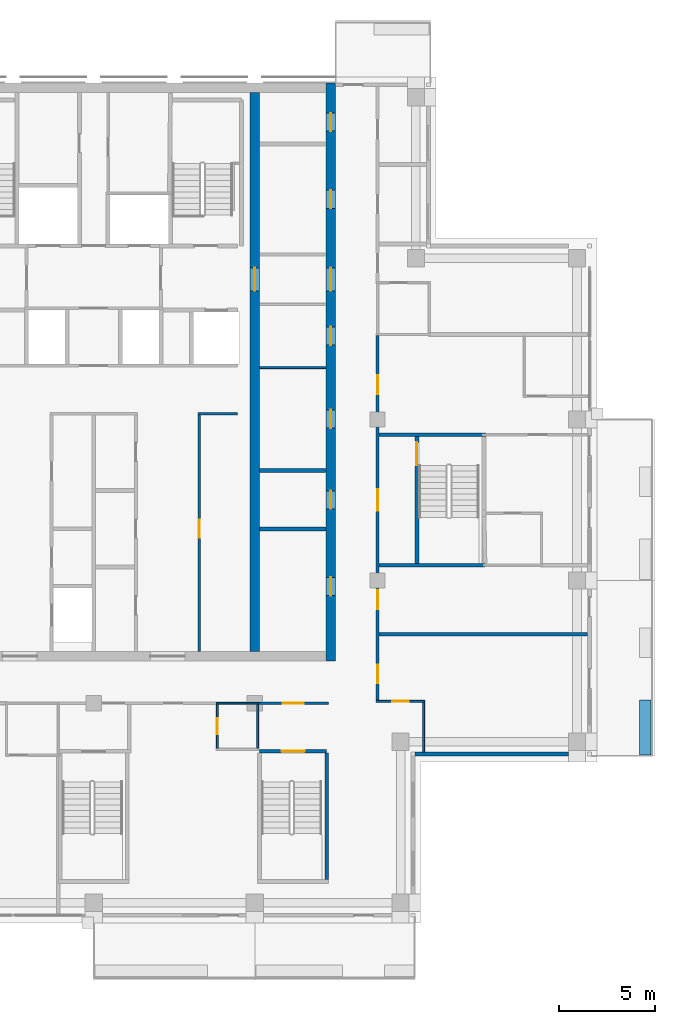
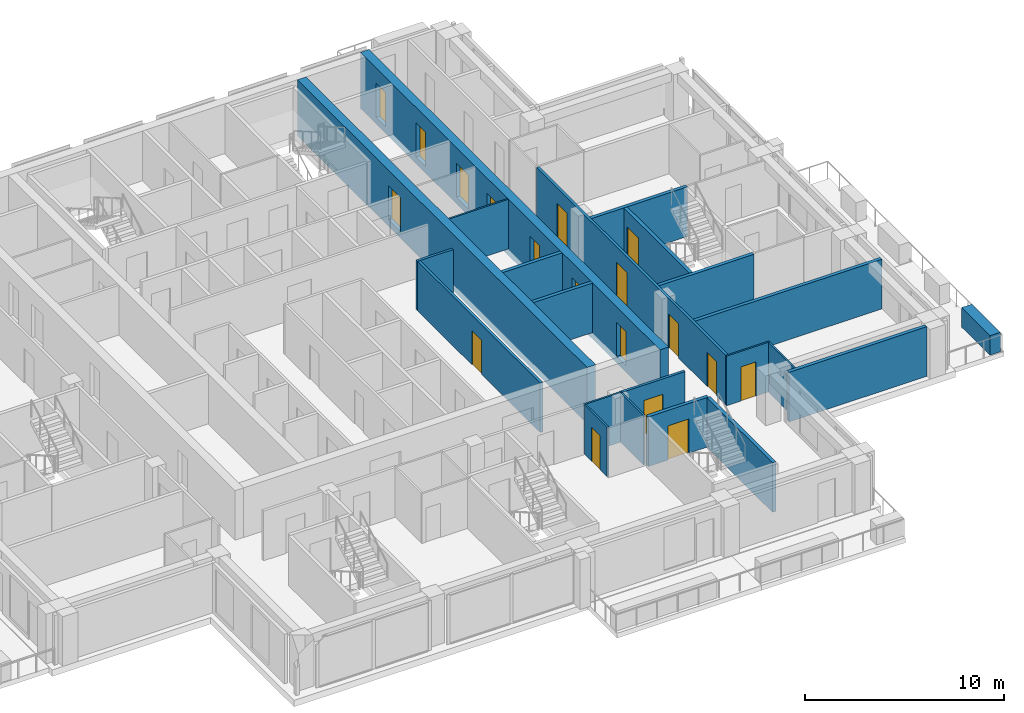
# One storey, part 11 of 17: 22 walls, 18 doors, 18 openings.
"""IFC4 building model written with IfcOpenShell, lengths in metres."""

from ifc_helpers import new_model, si_unit, direction, frame, frame_2d, origin, place, context, subcontext, project, spatial, rectangle, extrude, material, layer, layer_set, type_object, element, fill, save


model = new_model("IFC4")

# Units and contexts
model_context = context("Model", 3, precision=1e-05, world=origin(), true_north=direction((0.0, 1.0)))
body_context = subcontext(model_context, "Body", "Model", "MODEL_VIEW")
ifc_project = project(units=[si_unit("LENGTHUNIT", "METRE"), si_unit("AREAUNIT", "SQUARE_METRE"), si_unit("VOLUMEUNIT", "CUBIC_METRE"), si_unit("PLANEANGLEUNIT", "RADIAN"), si_unit("MASSUNIT", "GRAM", prefix="KILO")], contexts=[model_context])

# Site, building, storey
site_placement = place(None, origin())
site = spatial("IfcSite", under=ifc_project, at=site_placement, CompositionType="ELEMENT")
building_placement = place(site_placement, origin())
building = spatial("IfcBuilding", under=site, at=building_placement, Name="Vermilion Ogive Tower", CompositionType="ELEMENT")
storey_placement = place(building_placement, frame((0.0, 0.0, 244.14990234375)))
storey = spatial("IfcBuildingStorey", under=building, at=storey_placement, Name="L64", CompositionType="ELEMENT", Elevation=244.14990234375)

# Wall, openings, doors
ifc_material_1 = material(Name="Concrete B60", Category="concrete")
ifc_layer_1 = layer(ifc_material_1, 0.5)
ifc_layer_set_1 = layer_set([ifc_layer_1], Name="Core wall 500 B60")
wall_type_1 = type_object("IfcWallType", Name="Core wall 500 B60", PredefinedType="SHEAR", material=ifc_layer_set_1)
wall_1_placement = place(storey_placement, frame((12.35009765625, -8.39990234375, -0.39990234375), z_axis=(0.0, 0.0, 1.0), x_axis=(0.0, 1.0, 0.0)))
wall_1 = element("IfcWall", 1, at=wall_1_placement, inside=storey, type_object=wall_type_1, Name="L64-CORE-E", PredefinedType="SHEAR", context=body_context, shape_type="SweptSolid", body=[
    extrude(rectangle(XDim=30.14990234375, YDim=0.5, at=frame_2d((15.074951171875, 0.0))), origin(), (0.0, 0.0, 1.0), 3.449951171875),
])
opening_1_placement = place(wall_1_placement, frame((3.415771484375, 0.0, 0.39990234375)))
opening_1 = element("IfcOpeningElement", 2, at=opening_1_placement, cuts=wall_1, Name="Opening DAC111", PredefinedType="OPENING", context=body_context, shape_type="SweptSolid", body=[
    extrude(rectangle(XDim=0.949951171875, YDim=2.10009765625, at=frame_2d((0.47509765625, 1.050048828125))), frame((0.0, 0.260009765625, 0.0), z_axis=(0.0, -1.0, 0.0), x_axis=(1.0, 0.0, 0.0)), (0.0, 0.0, 1.0), 0.52001953125),
])
opening_2_placement = place(wall_1_placement, frame((7.93212890625, 0.0, 0.39990234375)))
opening_2 = element("IfcOpeningElement", 3, at=opening_2_placement, cuts=wall_1, Name="Opening DAC112", PredefinedType="OPENING", context=body_context, shape_type="SweptSolid", body=[
    extrude(rectangle(XDim=0.949951171875, YDim=2.10009765625, at=frame_2d((0.47509765625, 1.050048828125))), frame((0.0, 0.260009765625, 0.0), z_axis=(0.0, -1.0, 0.0), x_axis=(1.0, 0.0, 0.0)), (0.0, 0.0, 1.0), 0.52001953125),
])
opening_3_placement = place(wall_1_placement, frame((12.1435546875, 0.0, 0.39990234375)))
opening_3 = element("IfcOpeningElement", 4, at=opening_3_placement, cuts=wall_1, Name="Opening DAC113", PredefinedType="OPENING", context=body_context, shape_type="SweptSolid", body=[
    extrude(rectangle(XDim=0.949951171875, YDim=2.10009765625, at=frame_2d((0.47509765625, 1.050048828125))), frame((0.0, 0.260009765625, 0.0), z_axis=(0.0, -1.0, 0.0), x_axis=(1.0, 0.0, 0.0)), (0.0, 0.0, 1.0), 0.52001953125),
])
opening_4_placement = place(wall_1_placement, frame((16.47705078125, 0.0, 0.39990234375)))
opening_4 = element("IfcOpeningElement", 5, at=opening_4_placement, cuts=wall_1, Name="Opening DAC114", PredefinedType="OPENING", context=body_context, shape_type="SweptSolid", body=[
    extrude(rectangle(XDim=0.949951171875, YDim=2.10009765625, at=frame_2d((0.47509765625, 1.050048828125))), frame((0.0, 0.260009765625, 0.0), z_axis=(0.0, -1.0, 0.0), x_axis=(1.0, 0.0, 0.0)), (0.0, 0.0, 1.0), 0.52001953125),
])
opening_5_placement = place(wall_1_placement, frame((23.60498046875, 0.0, 0.39990234375)))
opening_5 = element("IfcOpeningElement", 6, at=opening_5_placement, cuts=wall_1, Name="Opening DAC115", PredefinedType="OPENING", context=body_context, shape_type="SweptSolid", body=[
    extrude(rectangle(XDim=0.949951171875, YDim=2.10009765625, at=frame_2d((0.47509765625, 1.050048828125))), frame((0.0, 0.260009765625, 0.0), z_axis=(0.0, -1.0, 0.0), x_axis=(1.0, 0.0, 0.0)), (0.0, 0.0, 1.0), 0.52001953125),
])
opening_6_placement = place(wall_1_placement, frame((27.630126953125, 0.0, 0.39990234375)))
opening_6 = element("IfcOpeningElement", 7, at=opening_6_placement, cuts=wall_1, Name="Opening DAC116", PredefinedType="OPENING", context=body_context, shape_type="SweptSolid", body=[
    extrude(rectangle(XDim=0.949951171875, YDim=2.10009765625, at=frame_2d((0.47509765625, 1.050048828125))), frame((0.0, 0.260009765625, 0.0), z_axis=(0.0, -1.0, 0.0), x_axis=(1.0, 0.0, 0.0)), (0.0, 0.0, 1.0), 0.52001953125),
])
opening_7_placement = place(wall_1_placement, frame((19.300048828125, 0.0, 0.39990234375)))
opening_7 = element("IfcOpeningElement", 8, at=opening_7_placement, cuts=wall_1, Name="Opening DAL026", PredefinedType="OPENING", context=body_context, shape_type="SweptSolid", body=[
    extrude(rectangle(XDim=1.199951171875, YDim=2.10009765625, at=frame_2d((0.60009765625, 1.050048828125))), frame((0.0, 0.260009765625, 0.0), z_axis=(0.0, -1.0, 0.0), x_axis=(1.0, 0.0, 0.0)), (0.0, 0.0, 1.0), 0.52001953125),
])
ifc_material_2 = material(Name="Timber door leaf", Category="wood")
door_type_1 = type_object("IfcDoorType", Name="Link door 1200 x 2100 FD60S", OperationType="SINGLE_SWING_LEFT", PredefinedType="DOOR", material=ifc_material_2)
door_1_placement = place(opening_7_placement, origin())
door_1 = element("IfcDoor", 9, at=door_1_placement, inside=storey, type_object=door_type_1, Name="L64-CKE-XL", OperationType="SINGLE_SWING_LEFT", OverallHeight=2.10009765625, OverallWidth=1.199951171875, PredefinedType="DOOR", context=body_context, shape_type="SweptSolid", body=[
    extrude(rectangle(XDim=1.199951171875, YDim=2.10009765625, at=frame_2d((0.60009765625, 1.050048828125))), frame((0.0, 0.02490234375, 0.0), z_axis=(0.0, -1.0, 0.0), x_axis=(1.0, 0.0, 0.0)), (0.0, 0.0, 1.0), 0.050048828125),
])
fill(opening_7, door_1)
ifc_material_3 = material(Name="Timber door leaf", Category="wood")
door_type_2 = type_object("IfcDoorType", Name="Service door 950 x 2100 FD60", OperationType="SINGLE_SWING_LEFT", PredefinedType="DOOR", material=ifc_material_3)
door_2_placement = place(opening_1_placement, origin())
door_2 = element("IfcDoor", 10, at=door_2_placement, inside=storey, type_object=door_type_2, Name="L64-CKE-XR0", OperationType="SINGLE_SWING_LEFT", OverallHeight=2.10009765625, OverallWidth=0.949951171875, PredefinedType="DOOR", context=body_context, shape_type="SweptSolid", body=[
    extrude(rectangle(XDim=0.949951171875, YDim=2.10009765625, at=frame_2d((0.47509765625, 1.050048828125))), frame((0.0, 0.02490234375, 0.0), z_axis=(0.0, -1.0, 0.0), x_axis=(1.0, 0.0, 0.0)), (0.0, 0.0, 1.0), 0.050048828125),
])
fill(opening_1, door_2)
door_3_placement = place(opening_2_placement, origin())
door_3 = element("IfcDoor", 11, at=door_3_placement, inside=storey, type_object=door_type_2, Name="L64-CKE-XR1", OperationType="SINGLE_SWING_LEFT", OverallHeight=2.10009765625, OverallWidth=0.949951171875, PredefinedType="DOOR", context=body_context, shape_type="SweptSolid", body=[
    extrude(rectangle(XDim=0.949951171875, YDim=2.10009765625, at=frame_2d((0.47509765625, 1.050048828125))), frame((0.0, 0.02490234375, 0.0), z_axis=(0.0, -1.0, 0.0), x_axis=(1.0, 0.0, 0.0)), (0.0, 0.0, 1.0), 0.050048828125),
])
fill(opening_2, door_3)
door_4_placement = place(opening_3_placement, origin())
door_4 = element("IfcDoor", 12, at=door_4_placement, inside=storey, type_object=door_type_2, Name="L64-CKE-XR2", OperationType="SINGLE_SWING_LEFT", OverallHeight=2.10009765625, OverallWidth=0.949951171875, PredefinedType="DOOR", context=body_context, shape_type="SweptSolid", body=[
    extrude(rectangle(XDim=0.949951171875, YDim=2.10009765625, at=frame_2d((0.47509765625, 1.050048828125))), frame((0.0, 0.02490234375, 0.0), z_axis=(0.0, -1.0, 0.0), x_axis=(1.0, 0.0, 0.0)), (0.0, 0.0, 1.0), 0.050048828125),
])
fill(opening_3, door_4)
door_5_placement = place(opening_4_placement, origin())
door_5 = element("IfcDoor", 13, at=door_5_placement, inside=storey, type_object=door_type_2, Name="L64-CKE-XR3", OperationType="SINGLE_SWING_LEFT", OverallHeight=2.10009765625, OverallWidth=0.949951171875, PredefinedType="DOOR", context=body_context, shape_type="SweptSolid", body=[
    extrude(rectangle(XDim=0.949951171875, YDim=2.10009765625, at=frame_2d((0.47509765625, 1.050048828125))), frame((0.0, 0.02490234375, 0.0), z_axis=(0.0, -1.0, 0.0), x_axis=(1.0, 0.0, 0.0)), (0.0, 0.0, 1.0), 0.050048828125),
])
fill(opening_4, door_5)
door_6_placement = place(opening_5_placement, origin())
door_6 = element("IfcDoor", 14, at=door_6_placement, inside=storey, type_object=door_type_2, Name="L64-CKE-XR4", OperationType="SINGLE_SWING_LEFT", OverallHeight=2.10009765625, OverallWidth=0.949951171875, PredefinedType="DOOR", context=body_context, shape_type="SweptSolid", body=[
    extrude(rectangle(XDim=0.949951171875, YDim=2.10009765625, at=frame_2d((0.47509765625, 1.050048828125))), frame((0.0, 0.02490234375, 0.0), z_axis=(0.0, -1.0, 0.0), x_axis=(1.0, 0.0, 0.0)), (0.0, 0.0, 1.0), 0.050048828125),
])
fill(opening_5, door_6)
door_7_placement = place(opening_6_placement, origin())
door_7 = element("IfcDoor", 15, at=door_7_placement, inside=storey, type_object=door_type_2, Name="L64-CKE-XR5", OperationType="SINGLE_SWING_LEFT", OverallHeight=2.10009765625, OverallWidth=0.949951171875, PredefinedType="DOOR", context=body_context, shape_type="SweptSolid", body=[
    extrude(rectangle(XDim=0.949951171875, YDim=2.10009765625, at=frame_2d((0.47509765625, 1.050048828125))), frame((0.0, 0.02490234375, 0.0), z_axis=(0.0, -1.0, 0.0), x_axis=(1.0, 0.0, 0.0)), (0.0, 0.0, 1.0), 0.050048828125),
])
fill(opening_6, door_7)

# Wall, opening, door
wall_2_placement = place(storey_placement, frame((8.39990234375, -7.89990234375, -0.39990234375), z_axis=(0.0, 0.0, 1.0), x_axis=(0.0, 1.0, 0.0)))
wall_2 = element("IfcWall", 16, at=wall_2_placement, inside=storey, type_object=wall_type_1, Name="L64-CORE-WEB2", PredefinedType="SHEAR", context=body_context, shape_type="SweptSolid", body=[
    extrude(rectangle(XDim=29.14990234375, YDim=0.5, at=frame_2d((14.574951171875, 0.0))), origin(), (0.0, 0.0, 1.0), 3.449951171875),
])
opening_8_placement = place(wall_2_placement, frame((18.800048828125, 0.0, 0.39990234375)))
opening_8 = element("IfcOpeningElement", 17, at=opening_8_placement, cuts=wall_2, Name="Opening DAO021", PredefinedType="OPENING", context=body_context, shape_type="SweptSolid", body=[
    extrude(rectangle(XDim=1.199951171875, YDim=2.10009765625, at=frame_2d((0.60009765625, 1.050048828125))), frame((0.0, 0.260009765625, 0.0), z_axis=(0.0, -1.0, 0.0), x_axis=(1.0, 0.0, 0.0)), (0.0, 0.0, 1.0), 0.52001953125),
])
door_8_placement = place(opening_8_placement, origin())
door_8 = element("IfcDoor", 18, at=door_8_placement, inside=storey, type_object=door_type_1, Name="L64-CKE-XW", OperationType="SINGLE_SWING_LEFT", OverallHeight=2.10009765625, OverallWidth=1.199951171875, PredefinedType="DOOR", context=body_context, shape_type="SweptSolid", body=[
    extrude(rectangle(XDim=1.199951171875, YDim=2.10009765625, at=frame_2d((0.60009765625, 1.050048828125))), frame((0.0, 0.02490234375, 0.0), z_axis=(0.0, -1.0, 0.0), x_axis=(1.0, 0.0, 0.0)), (0.0, 0.0, 1.0), 0.050048828125),
])
fill(opening_8, door_8)

# Wall
ifc_material_4 = material(Name="Gypsum board partition on steel studs", Category="steel")
ifc_layer_2 = layer(ifc_material_4, 0.10009765625)
ifc_layer_set_2 = layer_set([ifc_layer_2], Name="Partition 100 bath")
wall_type_2 = type_object("IfcWallType", Name="Partition 100 bath", PredefinedType="PARTITIONING", material=ifc_layer_set_2)
wall_3_placement = place(storey_placement, frame((6.39990234375, -10.60009765625, 0.0), z_axis=(0.0, 0.0, 1.0), x_axis=(1.0, 0.0, 0.0)))
element("IfcWall", 19, at=wall_3_placement, inside=storey, type_object=wall_type_2, Name="L64-W-W010", PredefinedType="PARTITIONING", context=body_context, shape_type="SweptSolid", body=[
    extrude(rectangle(XDim=2.2001953125, YDim=0.10009765625, at=frame_2d((1.10009765625, 0.0))), origin(), (0.0, 0.0, 1.0), 3.050048828125),
])

# Wall, opening, door
wall_4_placement = place(storey_placement, frame((14.72509765625, -10.5, 0.0), z_axis=(0.0, 0.0, 1.0), x_axis=(1.0, 0.0, 0.0)))
wall_4 = element("IfcWall", 20, at=wall_4_placement, inside=storey, type_object=wall_type_2, Name="L64-W-W012", PredefinedType="PARTITIONING", context=body_context, shape_type="SweptSolid", body=[
    extrude(rectangle(XDim=2.52490234375, YDim=0.10009765625, at=frame_2d((1.262451171875, 0.0))), origin(), (0.0, 0.0, 1.0), 3.050048828125),
])
opening_9_placement = place(wall_4_placement, frame((0.849853515625, 0.0, 0.0)))
opening_9 = element("IfcOpeningElement", 21, at=opening_9_placement, cuts=wall_4, Name="Opening D5G3014", PredefinedType="OPENING", context=body_context, shape_type="SweptSolid", body=[
    extrude(rectangle(XDim=0.85009765625, YDim=2.10009765625, at=frame_2d((0.425048828125, 1.050048828125))), frame((0.0, 0.06005859375, 0.0), z_axis=(0.0, -1.0, 0.0), x_axis=(1.0, 0.0, 0.0)), (0.0, 0.0, 1.0), 0.1201171875),
])
ifc_material_5 = material(Name="Timber door leaf", Category="wood")
door_type_3 = type_object("IfcDoorType", Name="Bath door 850 x 2100 FD30", OperationType="SINGLE_SWING_LEFT", PredefinedType="DOOR", material=ifc_material_5)
door_9_placement = place(opening_9_placement, origin())
door_9 = element("IfcDoor", 22, at=door_9_placement, inside=storey, type_object=door_type_3, Name="L64-D-D014", OperationType="SINGLE_SWING_RIGHT", OverallHeight=2.10009765625, OverallWidth=0.85009765625, PredefinedType="DOOR", context=body_context, shape_type="SweptSolid", body=[
    extrude(rectangle(XDim=0.85009765625, YDim=2.10009765625, at=frame_2d((0.425048828125, 1.050048828125))), frame((0.0, 0.02490234375, 0.0), z_axis=(0.0, -1.0, 0.0), x_axis=(1.0, 0.0, 0.0)), (0.0, 0.0, 1.0), 0.050048828125),
])
fill(opening_9, door_9)

wall_5_placement = place(storey_placement, frame((6.449951171875, -12.949951171875, 0.0), z_axis=(0.0, 0.0, 1.0), x_axis=(0.0, 1.0, 0.0)))
wall_5 = element("IfcWall", 23, at=wall_5_placement, inside=storey, type_object=wall_type_2, Name="L64-W-W052", PredefinedType="PARTITIONING", context=body_context, shape_type="SweptSolid", body=[
    extrude(rectangle(XDim=2.27490234375, YDim=0.10009765625, at=frame_2d((1.137451171875, 0.0))), origin(), (0.0, 0.0, 1.0), 3.050048828125),
])
opening_10_placement = place(wall_5_placement, frame((0.724853515625, 0.0, 0.0)))
opening_10 = element("IfcOpeningElement", 24, at=opening_10_placement, cuts=wall_5, Name="Opening D5G3012", PredefinedType="OPENING", context=body_context, shape_type="SweptSolid", body=[
    extrude(rectangle(XDim=0.85009765625, YDim=2.10009765625, at=frame_2d((0.425048828125, 1.050048828125))), frame((0.0, 0.06005859375, 0.0), z_axis=(0.0, -1.0, 0.0), x_axis=(1.0, 0.0, 0.0)), (0.0, 0.0, 1.0), 0.1201171875),
])
door_10_placement = place(opening_10_placement, origin())
door_10 = element("IfcDoor", 25, at=door_10_placement, inside=storey, type_object=door_type_3, Name="L64-D-D012", OperationType="SINGLE_SWING_RIGHT", OverallHeight=2.10009765625, OverallWidth=0.85009765625, PredefinedType="DOOR", context=body_context, shape_type="SweptSolid", body=[
    extrude(rectangle(XDim=0.85009765625, YDim=2.10009765625, at=frame_2d((0.425048828125, 1.050048828125))), frame((0.0, 0.02490234375, 0.0), z_axis=(0.0, -1.0, 0.0), x_axis=(1.0, 0.0, 0.0)), (0.0, 0.0, 1.0), 0.050048828125),
])
fill(opening_10, door_10)

# Walls
wall_6_placement = place(storey_placement, frame((8.550048828125, -12.949951171875, 0.0), z_axis=(0.0, 0.0, 1.0), x_axis=(0.0, 1.0, 0.0)))
element("IfcWall", 26, at=wall_6_placement, inside=storey, type_object=wall_type_2, Name="L64-W-W053", PredefinedType="PARTITIONING", context=body_context, shape_type="SweptSolid", body=[
    extrude(rectangle(XDim=2.27490234375, YDim=0.10009765625, at=frame_2d((1.137451171875, 0.0))), origin(), (0.0, 0.0, 1.0), 3.050048828125),
])
wall_7_placement = place(storey_placement, frame((17.199951171875, -13.14990234375, 0.0), z_axis=(0.0, 0.0, 1.0), x_axis=(0.0, 1.0, 0.0)))
element("IfcWall", 27, at=wall_7_placement, inside=storey, type_object=wall_type_2, Name="L64-W-W058", PredefinedType="PARTITIONING", context=body_context, shape_type="SweptSolid", body=[
    extrude(rectangle(XDim=2.599853515625, YDim=0.10009765625, at=frame_2d((1.2998046875, 0.0))), origin(), (0.0, 0.0, 1.0), 3.050048828125),
])
wall_8_placement = place(storey_placement, frame((8.65087890625, 6.904052734375, 0.0), z_axis=(0.0, 0.0, 1.0), x_axis=(1.0, 0.0, 0.0)))
element("IfcWall", 28, at=wall_8_placement, inside=storey, type_object=wall_type_2, Name="L64-CKE-W-W003", PredefinedType="PARTITIONING", context=body_context, shape_type="SweptSolid", body=[
    extrude(rectangle(XDim=3.4482421875, YDim=0.10009765625, at=frame_2d((1.72412109375, 0.0))), origin(), (0.0, 0.0, 1.0), 3.050048828125),
])

# Wall, opening, door
ifc_material_6 = material(Name="Gypsum board partition on steel studs", Category="steel")
ifc_layer_3 = layer(ifc_material_6, 0.14990234375)
ifc_layer_set_3 = layer_set([ifc_layer_3], Name="Partition 150 corridor")
wall_type_3 = type_object("IfcWallType", Name="Partition 150 corridor", PredefinedType="PARTITIONING", material=ifc_layer_set_3)
wall_9_placement = place(storey_placement, frame((8.5, -10.60009765625, 0.0), z_axis=(0.0, 0.0, 1.0), x_axis=(1.0, 0.0, 0.0)))
wall_9 = element("IfcWall", 29, at=wall_9_placement, inside=storey, type_object=wall_type_3, Name="L64-W-W011", PredefinedType="PARTITIONING", context=body_context, shape_type="SweptSolid", body=[
    extrude(rectangle(XDim=3.75, YDim=0.14990234375, at=frame_2d((1.875, 0.0))), origin(), (0.0, 0.0, 1.0), 3.050048828125),
])
opening_11_placement = place(wall_9_placement, frame((1.35009765625, 0.0, 0.0)))
opening_11 = element("IfcOpeningElement", 30, at=opening_11_placement, cuts=wall_9, Name="Opening D5G3027", PredefinedType="OPENING", context=body_context, shape_type="SweptSolid", body=[
    extrude(rectangle(XDim=1.10009765625, YDim=2.10009765625, at=frame_2d((0.550048828125, 1.050048828125))), frame((0.0, 0.0849609375, 0.0), z_axis=(0.0, -1.0, 0.0), x_axis=(1.0, 0.0, 0.0)), (0.0, 0.0, 1.0), 0.169921875),
])
ifc_material_7 = material(Name="Timber door leaf", Category="wood")
door_type_4 = type_object("IfcDoorType", Name="Stair door 1100 x 2100 FD60S", OperationType="SINGLE_SWING_LEFT", PredefinedType="DOOR", material=ifc_material_7)
door_11_placement = place(opening_11_placement, origin())
door_11 = element("IfcDoor", 31, at=door_11_placement, inside=storey, type_object=door_type_4, Name="L64-D-D027", OperationType="SINGLE_SWING_RIGHT", OverallHeight=2.10009765625, OverallWidth=1.10009765625, PredefinedType="DOOR", context=body_context, shape_type="SweptSolid", body=[
    extrude(rectangle(XDim=1.10009765625, YDim=2.10009765625, at=frame_2d((0.550048828125, 1.050048828125))), frame((0.0, 0.02490234375, 0.0), z_axis=(0.0, -1.0, 0.0), x_axis=(1.0, 0.0, 0.0)), (0.0, 0.0, 1.0), 0.050048828125),
])
fill(opening_11, door_11)

# Wall, openings, doors
wall_10_placement = place(storey_placement, frame((14.800048828125, -10.449951171875, 0.0), z_axis=(0.0, 0.0, 1.0), x_axis=(0.0, 1.0, 0.0)))
wall_10 = element("IfcWall", 32, at=wall_10_placement, inside=storey, type_object=wall_type_3, Name="L64-W-W054", PredefinedType="PARTITIONING", context=body_context, shape_type="SweptSolid", body=[
    extrude(rectangle(XDim=19.030029296875, YDim=0.14990234375, at=frame_2d((9.51513671875, 0.0))), origin(), (0.0, 0.0, 1.0), 3.050048828125),
])
opening_12_placement = place(wall_10_placement, frame((0.89990234375, 0.0, 0.0)))
opening_12 = element("IfcOpeningElement", 33, at=opening_12_placement, cuts=wall_10, Name="Opening D5G3013", PredefinedType="OPENING", context=body_context, shape_type="SweptSolid", body=[
    extrude(rectangle(XDim=0.949951171875, YDim=2.10009765625, at=frame_2d((0.47509765625, 1.050048828125))), frame((0.0, 0.0849609375, 0.0), z_axis=(0.0, -1.0, 0.0), x_axis=(1.0, 0.0, 0.0)), (0.0, 0.0, 1.0), 0.169921875),
])
opening_13_placement = place(wall_10_placement, frame((15.96484375, 0.0, 0.0)))
opening_13 = element("IfcOpeningElement", 34, at=opening_13_placement, cuts=wall_10, Name="Opening D5G3016", PredefinedType="OPENING", context=body_context, shape_type="SweptSolid", body=[
    extrude(rectangle(XDim=1.0, YDim=2.10009765625, at=frame_2d((0.5, 1.050048828125))), frame((0.0, 0.0849609375, 0.0), z_axis=(0.0, -1.0, 0.0), x_axis=(1.0, 0.0, 0.0)), (0.0, 0.0, 1.0), 0.169921875),
])
opening_14_placement = place(wall_10_placement, frame((9.89990234375, 0.0, 0.0)))
opening_14 = element("IfcOpeningElement", 35, at=opening_14_placement, cuts=wall_10, Name="Opening D5G3029", PredefinedType="OPENING", context=body_context, shape_type="SweptSolid", body=[
    extrude(rectangle(XDim=1.10009765625, YDim=2.10009765625, at=frame_2d((0.550048828125, 1.050048828125))), frame((0.0, 0.0849609375, 0.0), z_axis=(0.0, -1.0, 0.0), x_axis=(1.0, 0.0, 0.0)), (0.0, 0.0, 1.0), 0.169921875),
])
opening_15_placement = place(wall_10_placement, frame((4.75, 0.0, 0.0)))
opening_15 = element("IfcOpeningElement", 36, at=opening_15_placement, cuts=wall_10, Name="Opening D5G3034", PredefinedType="OPENING", context=body_context, shape_type="SweptSolid", body=[
    extrude(rectangle(XDim=1.0, YDim=2.10009765625, at=frame_2d((0.5, 1.050048828125))), frame((0.0, 0.0849609375, 0.0), z_axis=(0.0, -1.0, 0.0), x_axis=(1.0, 0.0, 0.0)), (0.0, 0.0, 1.0), 0.169921875),
])
door_12_placement = place(opening_14_placement, origin())
door_12 = element("IfcDoor", 37, at=door_12_placement, inside=storey, type_object=door_type_4, Name="L64-D-D029", OperationType="SINGLE_SWING_LEFT", OverallHeight=2.10009765625, OverallWidth=1.10009765625, PredefinedType="DOOR", context=body_context, shape_type="SweptSolid", body=[
    extrude(rectangle(XDim=1.10009765625, YDim=2.10009765625, at=frame_2d((0.550048828125, 1.050048828125))), frame((0.0, 0.02490234375, 0.0), z_axis=(0.0, -1.0, 0.0), x_axis=(1.0, 0.0, 0.0)), (0.0, 0.0, 1.0), 0.050048828125),
])
fill(opening_14, door_12)
ifc_material_8 = material(Name="Timber door leaf", Category="wood")
door_type_5 = type_object("IfcDoorType", Name="Unit door 1000 x 2100 FD30S", OperationType="SINGLE_SWING_LEFT", PredefinedType="DOOR", material=ifc_material_8)
door_13_placement = place(opening_13_placement, origin())
door_13 = element("IfcDoor", 38, at=door_13_placement, inside=storey, type_object=door_type_5, Name="L64-D-D016", OperationType="SINGLE_SWING_LEFT", OverallHeight=2.10009765625, OverallWidth=1.0, PredefinedType="DOOR", context=body_context, shape_type="SweptSolid", body=[
    extrude(rectangle(XDim=1.0, YDim=2.10009765625, at=frame_2d((0.5, 1.050048828125))), frame((0.0, 0.02490234375, 0.0), z_axis=(0.0, -1.0, 0.0), x_axis=(1.0, 0.0, 0.0)), (0.0, 0.0, 1.0), 0.050048828125),
])
fill(opening_13, door_13)
door_14_placement = place(opening_15_placement, origin())
door_14 = element("IfcDoor", 39, at=door_14_placement, inside=storey, type_object=door_type_5, Name="L64-D-D034", OperationType="SINGLE_SWING_RIGHT", OverallHeight=2.10009765625, OverallWidth=1.0, PredefinedType="DOOR", context=body_context, shape_type="SweptSolid", body=[
    extrude(rectangle(XDim=1.0, YDim=2.10009765625, at=frame_2d((0.5, 1.050048828125))), frame((0.0, 0.02490234375, 0.0), z_axis=(0.0, -1.0, 0.0), x_axis=(1.0, 0.0, 0.0)), (0.0, 0.0, 1.0), 0.050048828125),
])
fill(opening_15, door_14)
ifc_material_9 = material(Name="Timber door leaf", Category="wood")
door_type_6 = type_object("IfcDoorType", Name="Unit door 950 x 2100 FD30S", OperationType="SINGLE_SWING_LEFT", PredefinedType="DOOR", material=ifc_material_9)
door_15_placement = place(opening_12_placement, origin())
door_15 = element("IfcDoor", 40, at=door_15_placement, inside=storey, type_object=door_type_6, Name="L64-D-D013", OperationType="SINGLE_SWING_RIGHT", OverallHeight=2.10009765625, OverallWidth=0.949951171875, PredefinedType="DOOR", context=body_context, shape_type="SweptSolid", body=[
    extrude(rectangle(XDim=0.949951171875, YDim=2.10009765625, at=frame_2d((0.47509765625, 1.050048828125))), frame((0.0, 0.02490234375, 0.0), z_axis=(0.0, -1.0, 0.0), x_axis=(1.0, 0.0, 0.0)), (0.0, 0.0, 1.0), 0.050048828125),
])
fill(opening_12, door_15)

# Wall
wall_11_placement = place(storey_placement, frame((5.425048828125, 4.5, 0.0), z_axis=(0.0, 0.0, 1.0), x_axis=(1.0, 0.0, 0.0)))
element("IfcWall", 41, at=wall_11_placement, inside=storey, type_object=wall_type_3, Name="L64-CK-W-W010", PredefinedType="PARTITIONING", context=body_context, shape_type="SweptSolid", body=[
    extrude(rectangle(XDim=2.074951171875, YDim=0.14990234375, at=frame_2d((1.03759765625, 0.0))), origin(), (0.0, 0.0, 1.0), 3.050048828125),
])

# Wall, opening, door
wall_12_placement = place(storey_placement, frame((5.5, -7.89892578125, 0.0), z_axis=(0.0, 0.0, 1.0), x_axis=(0.0, 1.0, 0.0)))
wall_12 = element("IfcWall", 42, at=wall_12_placement, inside=storey, type_object=wall_type_3, Name="L64-CK-W-W038", PredefinedType="PARTITIONING", context=body_context, shape_type="SweptSolid", body=[
    extrude(rectangle(XDim=12.323974609375, YDim=0.14990234375, at=frame_2d((6.162109375, 0.0))), origin(), (0.0, 0.0, 1.0), 3.050048828125),
])
opening_16_placement = place(wall_12_placement, frame((5.923828125, 0.0, 0.0)))
opening_16 = element("IfcOpeningElement", 43, at=opening_16_placement, cuts=wall_12, Name="Opening DAA595", PredefinedType="OPENING", context=body_context, shape_type="SweptSolid", body=[
    extrude(rectangle(XDim=0.949951171875, YDim=2.10009765625, at=frame_2d((0.47509765625, 1.050048828125))), frame((0.0, 0.0849609375, 0.0), z_axis=(0.0, -1.0, 0.0), x_axis=(1.0, 0.0, 0.0)), (0.0, 0.0, 1.0), 0.169921875),
])
door_16_placement = place(opening_16_placement, origin())
door_16 = element("IfcDoor", 44, at=door_16_placement, inside=storey, type_object=door_type_2, Name="L64-CK-D-D011", OperationType="SINGLE_SWING_LEFT", OverallHeight=2.10009765625, OverallWidth=0.949951171875, PredefinedType="DOOR", context=body_context, shape_type="SweptSolid", body=[
    extrude(rectangle(XDim=0.949951171875, YDim=2.10009765625, at=frame_2d((0.47509765625, 1.050048828125))), frame((0.0, 0.02490234375, 0.0), z_axis=(0.0, -1.0, 0.0), x_axis=(1.0, 0.0, 0.0)), (0.0, 0.0, 1.0), 0.050048828125),
])
fill(opening_16, door_16)

# Walls
ifc_material_10 = material(Name="Gypsum board partition on steel studs", Category="steel")
ifc_layer_4 = layer(ifc_material_10, 0.199951171875)
ifc_layer_set_4 = layer_set([ifc_layer_4], Name="Partition 200 party")
wall_type_4 = type_object("IfcWallType", Name="Partition 200 party", PredefinedType="PARTITIONING", material=ifc_layer_set_4)
wall_13_placement = place(storey_placement, frame((14.875, -7.0, 0.0), z_axis=(0.0, 0.0, 1.0), x_axis=(1.0, 0.0, 0.0)))
element("IfcWall", 45, at=wall_13_placement, inside=storey, type_object=wall_type_4, Name="L64-W-W015", PredefinedType="PARTITIONING", context=body_context, shape_type="SweptSolid", body=[
    extrude(rectangle(XDim=10.875, YDim=0.199951171875, at=frame_2d((5.4375, 0.0))), origin(), (0.0, 0.0, 1.0), 3.050048828125),
])
for number, where, z_axis, x_axis, name in (
    (46, (8.65087890625, -1.51904296875, 0.0), (0.0, 0.0, 1.0), (1.0, 0.0, 0.0), "L64-CKE-W-W001"),
    (47, (8.65087890625, 1.532958984375, 0.0), (0.0, 0.0, 1.0), (1.0, 0.0, 0.0), "L64-CKE-W-W002"),
):
    element("IfcWall", number, at=place(storey_placement, frame(where, z_axis=z_axis, x_axis=x_axis)), inside=storey, type_object=wall_type_4, Name=name, PredefinedType="PARTITIONING", context=body_context, shape_type="SweptSolid", body=[
        extrude(rectangle(XDim=3.4482421875, YDim=0.199951171875, at=frame_2d((1.72412109375, 0.0))), origin(), (0.0, 0.0, 1.0), 3.050048828125),
    ])

# Wall, opening, door
ifc_material_11 = material(Name="Concrete B60", Category="concrete")
ifc_layer_5 = layer(ifc_material_11, 0.199951171875)
ifc_layer_set_5 = layer_set([ifc_layer_5], Name="Stair shaft wall 200 Concrete B60")
wall_type_5 = type_object("IfcWallType", Name="Stair shaft wall 200 Concrete B60", PredefinedType="SOLIDWALL", material=ifc_layer_set_5)
wall_14_placement = place(storey_placement, frame((8.64990234375, -13.10009765625, 0.0), z_axis=(0.0, 0.0, 1.0), x_axis=(1.0, 0.0, 0.0)))
wall_14 = element("IfcWall", 48, at=wall_14_placement, inside=storey, type_object=wall_type_5, Name="L64-W-W005", PredefinedType="SOLIDWALL", context=body_context, shape_type="SweptSolid", body=[
    extrude(rectangle(XDim=3.5, YDim=0.199951171875, at=frame_2d((1.75, 0.0))), origin(), (0.0, 0.0, 1.0), 3.050048828125),
])
opening_17_placement = place(wall_14_placement, frame((1.150146484375, 0.0, 0.0)))
opening_17 = element("IfcOpeningElement", 49, at=opening_17_placement, cuts=wall_14, Name="Opening D5G3028", PredefinedType="OPENING", context=body_context, shape_type="SweptSolid", body=[
    extrude(rectangle(XDim=1.199951171875, YDim=2.10009765625, at=frame_2d((0.60009765625, 1.050048828125))), frame((0.0, 0.10986328125, 0.0), z_axis=(0.0, -1.0, 0.0), x_axis=(1.0, 0.0, 0.0)), (0.0, 0.0, 1.0), 0.219970703125),
])
ifc_material_12 = material(Name="Timber door leaf", Category="wood")
door_type_7 = type_object("IfcDoorType", Name="Stair door 1200 x 2100 FD60S", OperationType="SINGLE_SWING_LEFT", PredefinedType="DOOR", material=ifc_material_12)
door_17_placement = place(opening_17_placement, origin())
door_17 = element("IfcDoor", 50, at=door_17_placement, inside=storey, type_object=door_type_7, Name="L64-D-D028", OperationType="SINGLE_SWING_RIGHT", OverallHeight=2.10009765625, OverallWidth=1.199951171875, PredefinedType="DOOR", context=body_context, shape_type="SweptSolid", body=[
    extrude(rectangle(XDim=1.199951171875, YDim=2.10009765625, at=frame_2d((0.60009765625, 1.050048828125))), frame((0.0, 0.02490234375, 0.0), z_axis=(0.0, -1.0, 0.0), x_axis=(1.0, 0.0, 0.0)), (0.0, 0.0, 1.0), 0.050048828125),
])
fill(opening_17, door_17)

# Walls
wall_15_placement = place(storey_placement, frame((14.875, -3.39990234375, 0.0), z_axis=(0.0, 0.0, 1.0), x_axis=(1.0, 0.0, 0.0)))
element("IfcWall", 51, at=wall_15_placement, inside=storey, type_object=wall_type_5, Name="L64-W-W019", PredefinedType="SOLIDWALL", context=body_context, shape_type="SweptSolid", body=[
    extrude(rectangle(XDim=5.52490234375, YDim=0.199951171875, at=frame_2d((2.762451171875, 0.0))), origin(), (0.0, 0.0, 1.0), 3.050048828125),
])
wall_16_placement = place(storey_placement, frame((14.875, 3.39990234375, 0.0), z_axis=(0.0, 0.0, 1.0), x_axis=(1.0, 0.0, 0.0)))
element("IfcWall", 52, at=wall_16_placement, inside=storey, type_object=wall_type_5, Name="L64-W-W026", PredefinedType="SOLIDWALL", context=body_context, shape_type="SweptSolid", body=[
    extrude(rectangle(XDim=5.574951171875, YDim=0.199951171875, at=frame_2d((2.78759765625, 0.0))), origin(), (0.0, 0.0, 1.0), 3.050048828125),
])

# Wall, opening, door
wall_17_placement = place(storey_placement, frame((16.85009765625, -3.300048828125, 0.0), z_axis=(0.0, 0.0, 1.0), x_axis=(0.0, 1.0, 0.0)))
wall_17 = element("IfcWall", 53, at=wall_17_placement, inside=storey, type_object=wall_type_5, Name="L64-W-W057", PredefinedType="SOLIDWALL", context=body_context, shape_type="SweptSolid", body=[
    extrude(rectangle(XDim=6.60009765625, YDim=0.199951171875, at=frame_2d((3.300048828125, 0.0))), origin(), (0.0, 0.0, 1.0), 3.050048828125),
])
opening_18_placement = place(wall_17_placement, frame((5.10009765625, 0.0, 0.0)))
opening_18 = element("IfcOpeningElement", 54, at=opening_18_placement, cuts=wall_17, Name="Opening D5G3030", PredefinedType="OPENING", context=body_context, shape_type="SweptSolid", body=[
    extrude(rectangle(XDim=1.199951171875, YDim=2.10009765625, at=frame_2d((0.60009765625, 1.050048828125))), frame((0.0, 0.10986328125, 0.0), z_axis=(0.0, -1.0, 0.0), x_axis=(1.0, 0.0, 0.0)), (0.0, 0.0, 1.0), 0.219970703125),
])
door_18_placement = place(opening_18_placement, origin())
door_18 = element("IfcDoor", 55, at=door_18_placement, inside=storey, type_object=door_type_7, Name="L64-D-D030", OperationType="SINGLE_SWING_LEFT", OverallHeight=2.10009765625, OverallWidth=1.199951171875, PredefinedType="DOOR", context=body_context, shape_type="SweptSolid", body=[
    extrude(rectangle(XDim=1.199951171875, YDim=2.10009765625, at=frame_2d((0.60009765625, 1.050048828125))), frame((0.0, 0.02490234375, 0.0), z_axis=(0.0, -1.0, 0.0), x_axis=(1.0, 0.0, 0.0)), (0.0, 0.0, 1.0), 0.050048828125),
])
fill(opening_18, door_18)

# Walls
wall_18_placement = place(storey_placement, frame((12.14990234375, -19.800048828125, 0.0), z_axis=(0.0, 0.0, 1.0), x_axis=(0.0, 1.0, 0.0)))
element("IfcWall", 56, at=wall_18_placement, inside=storey, type_object=wall_type_5, Name="L64-SW-ST5-E1", PredefinedType="SOLIDWALL", context=body_context, shape_type="SweptSolid", body=[
    extrude(rectangle(XDim=6.60009765625, YDim=0.199951171875, at=frame_2d((3.300048828125, 0.0))), origin(), (0.0, 0.0, 1.0), 3.050048828125),
])
ifc_material_13 = material(Name="Concrete B40", Category="concrete")
ifc_layer_6 = layer(ifc_material_13, 0.60009765625)
ifc_layer_set_6 = layer_set([ifc_layer_6], Name="Structural planter")
wall_type_6 = type_object("IfcWallType", Name="Structural planter", PredefinedType="USERDEFINED", material=ifc_layer_set_6)
wall_19_placement = place(storey_placement, frame((28.75, -13.2900390625, -0.039794921875), z_axis=(0.0, 0.0, 1.0), x_axis=(0.0, 1.0, 0.0)))
element("IfcWall", 57, at=wall_19_placement, inside=storey, type_object=wall_type_6, Name="Planter E01A1", ObjectType="PLANTER", PredefinedType="USERDEFINED", context=body_context, shape_type="SweptSolid", body=[
    extrude(rectangle(XDim=2.864990234375, YDim=0.60009765625, at=frame_2d((1.4326171875, 0.0))), origin(), (0.0, 0.0, 1.0), 1.199951171875),
])
ifc_material_14 = material(Name="Aluminium window wall framing", Category="aluminium")
ifc_layer_7 = layer(ifc_material_14, 0.199951171875)
ifc_layer_set_7 = layer_set([ifc_layer_7], Name="Window wall")
wall_type_7 = type_object("IfcWallType", Name="Window wall", PredefinedType="STANDARD", material=ifc_layer_set_7)
wall_20_placement = place(storey_placement, frame((16.75, -13.25, 0.0), z_axis=(0.0, 0.0, 1.0), x_axis=(1.0, 0.0, 0.0)))
element("IfcWall", 58, at=wall_20_placement, inside=storey, type_object=wall_type_7, Name="Window wall X21", PredefinedType="STANDARD", context=body_context, shape_type="SweptSolid", body=[
    extrude(rectangle(XDim=8.0, YDim=0.199951171875, at=frame_2d((4.0, 0.0))), origin(), (0.0, 0.0, 1.0), 3.050048828125),
])

save(model, "model.ifc")
